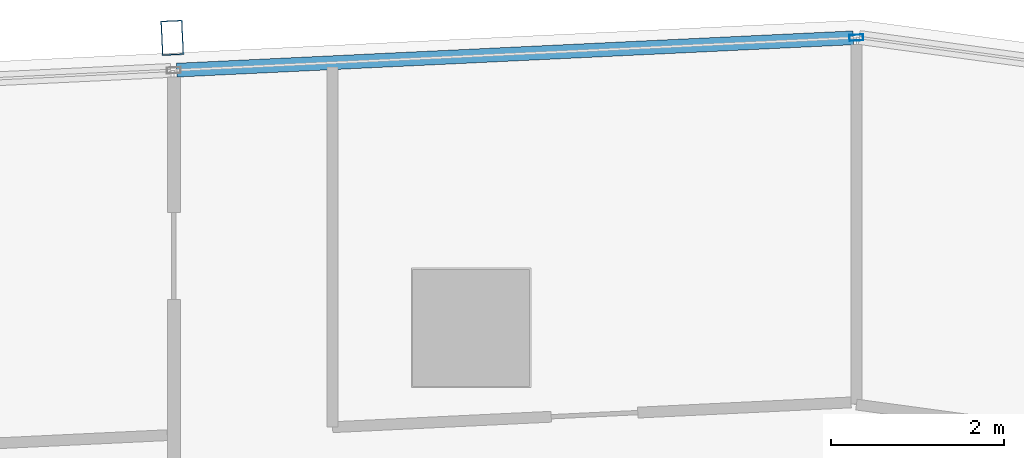
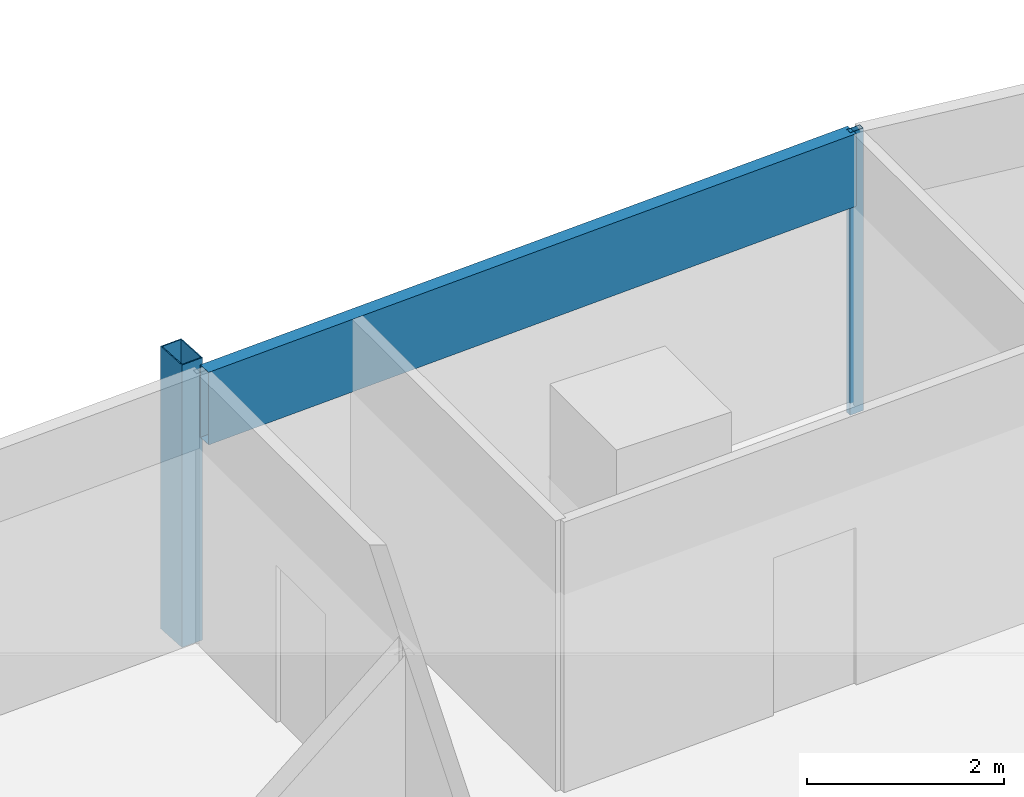
# One storey, part 20 of 33: 3 members, 1 element without a shape of its own.
"""IFC4 building model written with IfcOpenShell, lengths in metres."""

from ifc_helpers import new_model, si_unit, direction, frame, origin, origin_2d, place, context, subcontext, project, spatial, hollow_rectangle, extrude, material, material_profile, profile_set, type_object, element, aggregate, save


model = new_model("IFC4")

# Units and contexts
model_context = context("Model", 3, precision=1e-05, world=origin(), true_north=direction((0.0, 1.0)))
body_context = subcontext(model_context, "Body", "Model", "MODEL_VIEW")
ifc_project = project(units=[si_unit("LENGTHUNIT", "METRE"), si_unit("AREAUNIT", "SQUARE_METRE"), si_unit("VOLUMEUNIT", "CUBIC_METRE"), si_unit("PLANEANGLEUNIT", "RADIAN"), si_unit("MASSUNIT", "GRAM", prefix="KILO")], contexts=[model_context])

# Site, building, storey
site_placement = place(None, origin())
site = spatial("IfcSite", under=ifc_project, at=site_placement, CompositionType="ELEMENT")
building_placement = place(site_placement, origin())
building = spatial("IfcBuilding", under=site, at=building_placement, Name="Rekha Terrace Tower", CompositionType="ELEMENT")
storey_placement = place(building_placement, frame((0.0, 0.0, 206.449951171875)))
storey = spatial("IfcBuildingStorey", under=building, at=storey_placement, Name="L52", CompositionType="ELEMENT", Elevation=206.449951171875)

# Curtain wall, members
ifc_material_1 = material(Name="Aluminium framing", Category="aluminium")
curtain_wall_type = type_object("IfcCurtainWallType", Name="CW3 north unitised glazing", PredefinedType="USERDEFINED", material=ifc_material_1)
curtain_wall_placement = place(storey_placement, origin())
curtain_wall = element("IfcCurtainWall", 1, at=curtain_wall_placement, inside=storey, type_object=curtain_wall_type, Name="CW3 unitised curtain wall", ObjectType="UNITISED CURTAIN WALL", PredefinedType="USERDEFINED")
ifc_material_2 = material(Name="Steel S355 with fluorocarbon finish", Category="steel")
ifc_material_profile_1 = material_profile(ifc_material_2, hollow_rectangle(XDim=0.25, YDim=0.39990234375, WallThickness=0.012451171875, at=origin_2d()), Name="RHS400x250x12.5")
ifc_profile_set_1 = profile_set([ifc_material_profile_1], Name="Steel S355 with fluorocarbon finish")
member_type_1 = type_object("IfcMemberType", Name="BL1 facade blade RHS 400 x 250", PredefinedType="USERDEFINED", material=ifc_profile_set_1)
member_1_placement = place(storey_placement, frame((38.55224609375, 62.145751953125, 0.0), z_axis=(0.0, 0.0, 1.0), x_axis=(-0.998858913274, -0.04775846913, 0.0)))
member_1 = element("IfcMember", 2, at=member_1_placement, type_object=member_type_1, Name="Facade blade", ObjectType="FACADE BLADE", PredefinedType="USERDEFINED", context=body_context, shape_type="SweptSolid", body=[
    extrude(hollow_rectangle(XDim=0.25, YDim=0.39990234375, WallThickness=0.012451171875, at=origin_2d()), origin(), (0.0, 0.0, 1.0), 3.5),
])
ifc_material_3 = material(Name="Aluminium mullion section", Category="aluminium")
ifc_material_profile_2 = material_profile(ifc_material_3, hollow_rectangle(XDim=0.070068359375, YDim=0.159912109375, WallThickness=0.00390625, at=origin_2d()), Name="AL RHS 70x160")
ifc_profile_set_2 = profile_set([ifc_material_profile_2], Name="Aluminium mullion section")
member_type_2 = type_object("IfcMemberType", Name="CW3 mullion RHS 70 x 160", PredefinedType="MULLION", material=ifc_profile_set_2)
member_2_placement = place(storey_placement, frame((46.4443359375, 62.147705078125, 0.0), z_axis=(0.0, 0.0, 1.0), x_axis=(0.047758616983, -0.998858906204, 0.0)))
member_2 = element("IfcMember", 3, at=member_2_placement, type_object=member_type_2, Name="CW3 mullion 1", PredefinedType="MULLION", context=body_context, shape_type="SweptSolid", body=[
    extrude(hollow_rectangle(XDim=0.070068359375, YDim=0.159912109375, WallThickness=0.00390625, at=origin_2d()), origin(), (0.0, 0.0, 1.0), 3.5),
])
ifc_material_4 = material(Name="Insulated aluminium spandrel box", Category="aluminium")
ifc_material_profile_3 = material_profile(ifc_material_4, hollow_rectangle(XDim=0.159912109375, YDim=0.89990234375, WallThickness=0.0029296875, at=origin_2d()), Name="AL SPANDREL BOX 160x900")
ifc_profile_set_3 = profile_set([ifc_material_profile_3], Name="Insulated aluminium spandrel box")
member_type_3 = type_object("IfcMemberType", Name="CW3 spandrel transom 160 x 900", PredefinedType="USERDEFINED", material=ifc_profile_set_3)
member_3_placement = place(storey_placement, frame((46.4091796875, 62.14599609375, 3.050048828125), z_axis=(-0.998859425172, -0.047747761666, 0.0), x_axis=(0.047747761666, -0.998859425172, 0.0)))
member_3 = element("IfcMember", 4, at=member_3_placement, type_object=member_type_3, Name="CW3 spandrel transom 1", ObjectType="TRANSOM", PredefinedType="USERDEFINED", context=body_context, shape_type="SweptSolid", body=[
    extrude(hollow_rectangle(XDim=0.159912109375, YDim=0.89990234375, WallThickness=0.0029296875, at=origin_2d()), origin(), (0.0, 0.0, 1.0), 7.81298828125),
])
aggregate(curtain_wall, [member_2, member_3, member_1])

save(model, "model.ifc")
